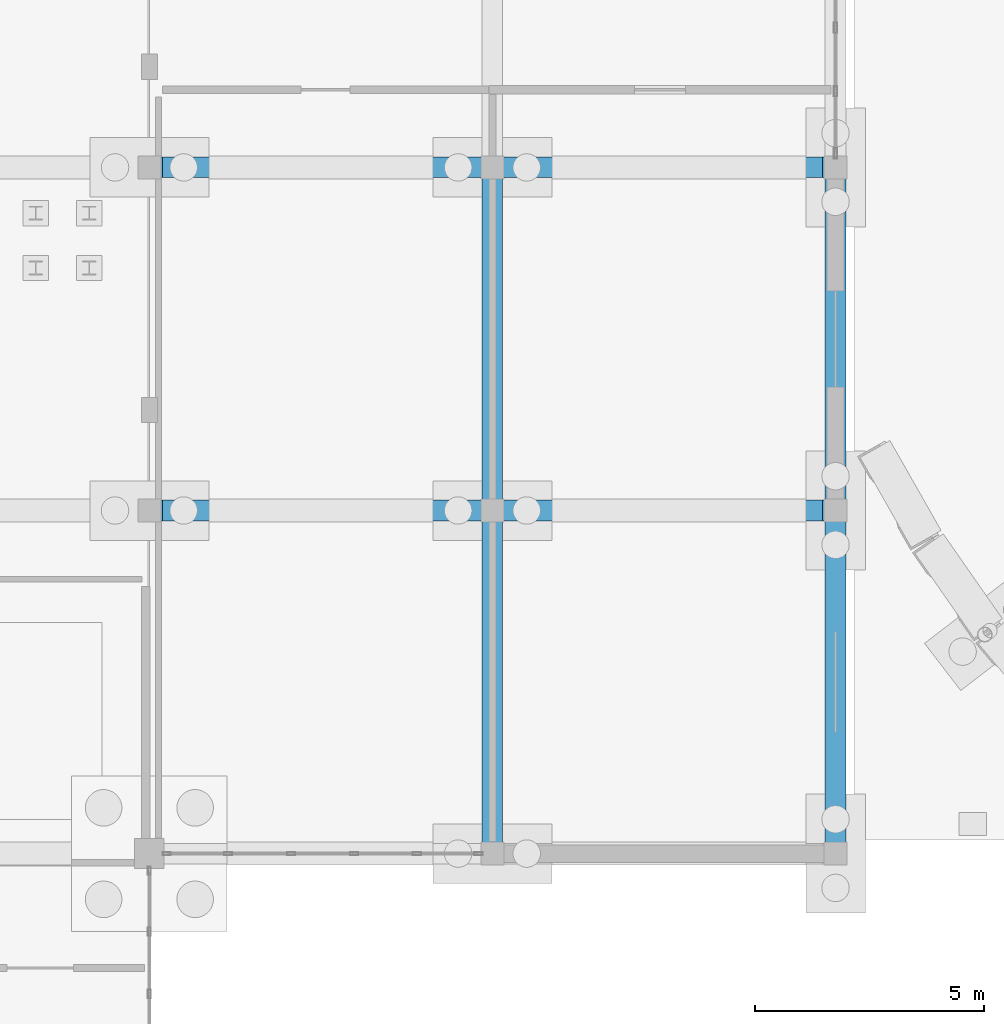
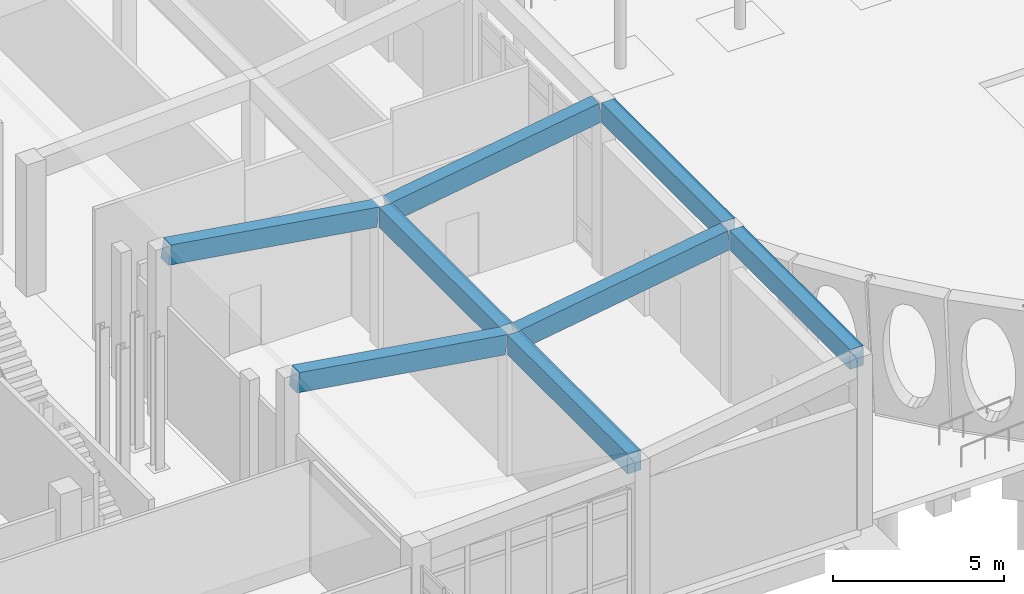
# One storey, part 35 of 173: 8 beams.
"""IFC4 building model written with IfcOpenShell, lengths in metres."""

from ifc_helpers import new_model, si_unit, direction, frame, origin, origin_2d, place, context, subcontext, project, spatial, rectangle, extrude, material, material_profile, profile_set, type_object, element, save


model = new_model("IFC4")

# Units and contexts
model_context = context("Model", 3, precision=1e-05, world=origin(), true_north=direction((0.0, 1.0)))
body_context = subcontext(model_context, "Body", "Model", "MODEL_VIEW")
ifc_project = project(units=[si_unit("LENGTHUNIT", "METRE"), si_unit("AREAUNIT", "SQUARE_METRE"), si_unit("VOLUMEUNIT", "CUBIC_METRE"), si_unit("PLANEANGLEUNIT", "RADIAN"), si_unit("MASSUNIT", "GRAM", prefix="KILO")], contexts=[model_context])

# Site, building, storey
site_placement = place(None, origin())
site = spatial("IfcSite", under=ifc_project, at=site_placement, CompositionType="ELEMENT")
building_placement = place(site_placement, origin())
building = spatial("IfcBuilding", under=site, at=building_placement, Name="Mawjan Specialist Oncology Clinic", CompositionType="ELEMENT")
storey_placement = place(building_placement, origin())
storey = spatial("IfcBuildingStorey", under=building, at=storey_placement, Name="L00", CompositionType="ELEMENT", Elevation=0.0)

# Beams
ifc_material = material(Name="Concrete C40/50", Category="concrete")
ifc_material_profile = material_profile(ifc_material, rectangle(XDim=0.449951171875, YDim=0.699951171875, at=origin_2d()), Name="RC BM 450x700", Category="concrete")
ifc_profile_set = profile_set([ifc_material_profile], Name="Concrete C40/50")
beam_type = type_object("IfcBeamType", Name="BM-450x700", PredefinedType="BEAM", material=ifc_profile_set)
for number, where, z_axis, x_axis, name in (
    (1, (45.235107421875, 15.800048828125, 5.787841796875), (0.987938984862, 0.0, -0.154843670163), (0.0, 1.0, 0.0), "L00 Roof Framing Beam BM-RF-L00-1242"),
    (2, (52.735107421875, 15.800048828125, 4.68603515625), (0.987938984862, 0.0, 0.154843670163), (0.0, 1.0, 0.0), "L00 Roof Framing Beam BM-RF-L00-1243"),
    (3, (45.235107421875, 23.300048828125, 5.787841796875), (0.987938984862, 0.0, -0.154843670163), (0.0, 1.0, 0.0), "L00 Roof Framing Beam BM-RF-L00-1244"),
    (4, (52.735107421875, 23.300048828125, 4.68603515625), (0.987938984862, 0.0, 0.154843670163), (0.0, 1.0, 0.0), "L00 Roof Framing Beam BM-RF-L00-1245"),
):
    element("IfcBeam", number, at=place(storey_placement, frame(where, z_axis=z_axis, x_axis=x_axis)), inside=storey, type_object=beam_type, Name=name, PredefinedType="BEAM", context=body_context, shape_type="SweptSolid", body=[
        extrude(rectangle(XDim=0.449951171875, YDim=0.699951171875, at=origin_2d()), origin(), (0.0, 0.0, 1.0), 7.11572265625),
    ])
for number, where, z_axis, x_axis, name in (
    (5, (52.5, 8.534912109375, 4.68603515625), (0.0, 1.0, 0.0), (-1.0, 0.0, 0.0), "L00 Roof Framing Beam BM-RF-L00-1262"),
    (6, (52.5, 16.034912109375, 4.68603515625), (0.0, 1.0, 0.0), (-1.0, 0.0, 0.0), "L00 Roof Framing Beam BM-RF-L00-1263"),
    (7, (60.0, 8.534912109375, 5.787841796875), (0.0, 1.0, 0.0), (-1.0, 0.0, 0.0), "L00 Roof Framing Beam BM-RF-L00-1267"),
    (8, (60.0, 16.034912109375, 5.787841796875), (0.0, 1.0, 0.0), (-1.0, 0.0, 0.0), "L00 Roof Framing Beam BM-RF-L00-1268"),
):
    element("IfcBeam", number, at=place(storey_placement, frame(where, z_axis=z_axis, x_axis=x_axis)), inside=storey, type_object=beam_type, Name=name, PredefinedType="BEAM", context=body_context, shape_type="SweptSolid", body=[
        extrude(rectangle(XDim=0.449951171875, YDim=0.699951171875, at=origin_2d()), origin(), (0.0, 0.0, 1.0), 7.030029296875),
    ])

save(model, "model.ifc")
